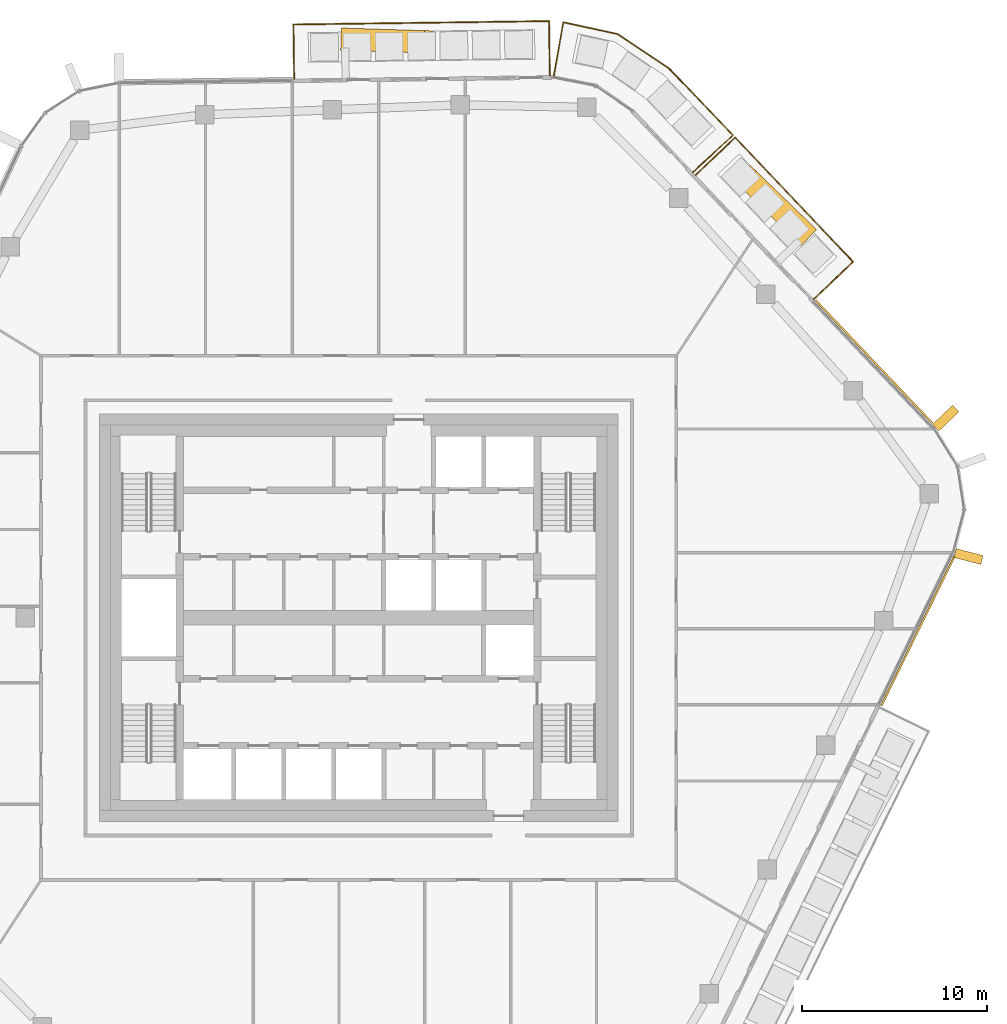
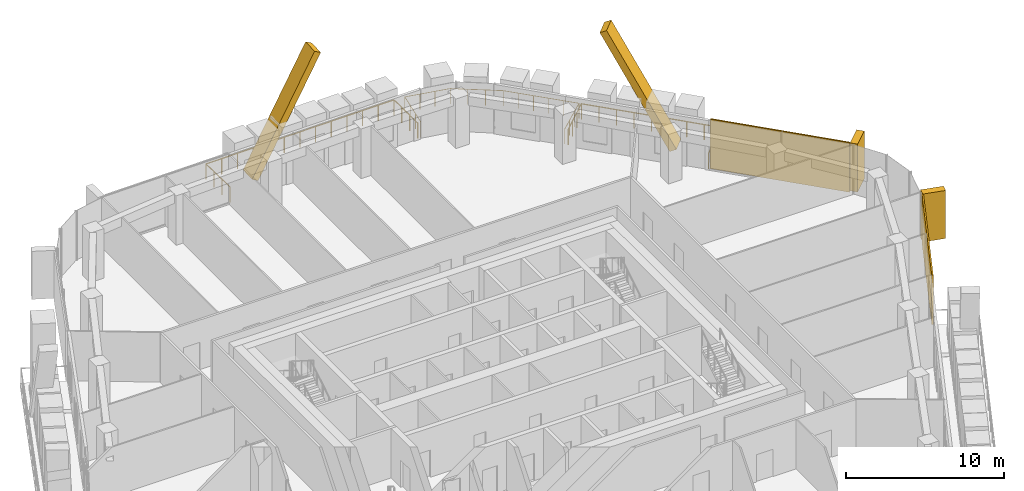
# One storey, part 23 of 23: 6 coverings, 3 railings, 4 elements without a shape of their own.
"""IFC4 building model written with IfcOpenShell, lengths in metres."""

import ifcopenshell
import ifcopenshell.guid

model = None  # the IFC model being written
_history = None  # IfcOwnerHistory: only IFC2X3 demands one
_inside = {}  # id of a spatial element -> (the spatial element, [elements in it])
_under = {}  # id of a project, library or spatial element -> (it, [spatial elements below it])
_declared = {}  # id of a project -> (the project, [libraries it declares])
_typed = {}  # id of a type object -> (the type object, [elements of that type])
_made_of = {}  # id of a material, layer set ... -> (it, [elements and type objects made of it])


def new_model(schema):
    """Start an empty IFC model of exactly this schema.

    Asked for "IFC4X3", IfcOpenShell would pick the latest addendum, in which some entities
    have other attributes; the version numbers below select the first issue.
    IFC2X3 requires an IfcOwnerHistory on every rooted entity: one is made here for all.
    """
    global model, _history
    if schema == "IFC4X3":
        model = ifcopenshell.file(schema_version=(4, 3, 0, 0))
    else:
        model = ifcopenshell.file(schema=schema)
    _inside.clear()
    _under.clear()
    _declared.clear()
    _typed.clear()
    _made_of.clear()
    _history = None
    if model.schema == "IFC2X3":
        org = make("IfcOrganization", Name="unknown")
        user = make(
            "IfcPersonAndOrganization",
            ThePerson=make("IfcPerson", FamilyName="unknown"),
            TheOrganization=org,
        )
        app = make(
            "IfcApplication",
            ApplicationDeveloper=org,
            Version="unknown",
            ApplicationFullName="unknown",
            ApplicationIdentifier="unknown",
        )
        _history = make(
            "IfcOwnerHistory",
            OwningUser=user,
            OwningApplication=app,
            ChangeAction="ADDED",
            CreationDate=0,
        )
    return model


def make(cls, **values):
    """One entity of the class cls with the attributes given. An attribute that is None is left unset."""
    return model.create_entity(
        cls, **{name: value for name, value in values.items() if value is not None}
    )


def rooted(cls, **values):
    """An entity with a GlobalId (a new one), such as an element, a storey or a relation."""
    return make(cls, GlobalId=ifcopenshell.guid.new(), OwnerHistory=_history, **values)


def si_unit(unit_type, name, prefix=None):
    """IfcSIUnit, for example si_unit("LENGTHUNIT", "METRE", prefix="MILLI")."""
    return make("IfcSIUnit", UnitType=unit_type, Prefix=prefix, Name=name)


def assignment(units):
    """IfcUnitAssignment: the units of a project."""
    return None if units is None else make("IfcUnitAssignment", Units=units)


def point(xyz):
    """IfcCartesianPoint."""
    return None if xyz is None else make("IfcCartesianPoint", Coordinates=xyz)


def direction(xyz):
    """IfcDirection."""
    return None if xyz is None else make("IfcDirection", DirectionRatios=xyz)


def frame(location, z_axis=None, x_axis=None):
    """IfcAxis2Placement3D, a coordinate frame: its origin and axes. An axis left out is left unset."""
    return make(
        "IfcAxis2Placement3D",
        Location=point(location),
        Axis=direction(z_axis),
        RefDirection=direction(x_axis),
    )


def frame_2d(location, x_axis=None):
    """IfcAxis2Placement2D, a coordinate frame in the plane: its origin and x axis."""
    return make(
        "IfcAxis2Placement2D", Location=point(location), RefDirection=direction(x_axis)
    )


def origin():
    """The frame at (0, 0, 0) with its axes left unset."""
    return frame((0.0, 0.0, 0.0))


def origin_2d():
    """The frame at (0, 0) in the plane with its x axis left unset."""
    return frame_2d((0.0, 0.0))


def place(relative_to, where):
    """IfcLocalPlacement: puts the frame where relative to a parent placement (None: the world)."""
    return make(
        "IfcLocalPlacement", PlacementRelTo=relative_to, RelativePlacement=where
    )


def context(
    kind, dimensions, precision=None, world=None, true_north=None, identifier=None
):
    """IfcGeometricRepresentationContext, for example the 3D "Model" context."""
    return make(
        "IfcGeometricRepresentationContext",
        ContextIdentifier=identifier,
        ContextType=kind,
        CoordinateSpaceDimension=dimensions,
        Precision=precision,
        WorldCoordinateSystem=world,
        TrueNorth=true_north,
    )


def subcontext(parent, identifier, kind, view, scale=None):
    """IfcGeometricRepresentationSubContext, for example "Body" below "Model"."""
    return make(
        "IfcGeometricRepresentationSubContext",
        ContextIdentifier=identifier,
        ContextType=kind,
        ParentContext=parent,
        TargetScale=scale,
        TargetView=view,
    )


def project(units=None, contexts=None):
    """IfcProject with its units and contexts."""
    return rooted(
        "IfcProject",
        Name="project",
        RepresentationContexts=contexts,
        UnitsInContext=assignment(units),
    )


def spatial(cls, under=None, at=None, **own):
    """A site, building, storey or space (cls), placed at a placement, below another one or the project."""
    s = rooted(cls, ObjectPlacement=at, **own)
    if under is not None:
        _under.setdefault(under.id(), (under, []))[1].append(s)
    return s


def profile(cls, at=None, kind="AREA", **sizes):
    """A parametric profile (cls). Its sizes go by their IFC names, for example OverallWidth=200.0."""
    return make(cls, ProfileType=kind, Position=at, **sizes)


def rectangle(**sizes):
    """IfcRectangleProfileDef."""
    return profile("IfcRectangleProfileDef", **sizes)


def circle(**sizes):
    """IfcCircleProfileDef."""
    return profile("IfcCircleProfileDef", **sizes)


def extrude(swept, where, along, depth):
    """IfcExtrudedAreaSolid: the profile swept, set in the frame where, extruded along a direction by depth."""
    return make(
        "IfcExtrudedAreaSolid",
        SweptArea=swept,
        Position=where,
        ExtrudedDirection=direction(along),
        Depth=depth,
    )


def shape(context_of_items, identifier, shape_type, items):
    """IfcShapeRepresentation: the items that make up one representation, for example the "Body"."""
    return make(
        "IfcShapeRepresentation",
        ContextOfItems=context_of_items,
        RepresentationIdentifier=identifier,
        RepresentationType=shape_type,
        Items=items,
    )


def material(Name=None, Category=None):
    """IfcMaterial."""
    return make("IfcMaterial", Name=Name, Category=Category)


def layer(
    of_material, thickness, ventilated=None, Name=None, Category=None, Priority=None
):
    """IfcMaterialLayer: one layer of a wall or slab, of a material (None: an air gap)."""
    return make(
        "IfcMaterialLayer",
        Material=of_material,
        LayerThickness=thickness,
        IsVentilated=ventilated,
        Name=Name,
        Category=Category,
        Priority=Priority,
    )


def layer_set(layers, Name=None):
    """IfcMaterialLayerSet."""
    return make("IfcMaterialLayerSet", MaterialLayers=layers, LayerSetName=Name)


def material_profile(
    of_material, cross_section, Name=None, Category=None, Priority=None
):
    """IfcMaterialProfile: a cross section and its material."""
    return make(
        "IfcMaterialProfile",
        Name=Name,
        Material=of_material,
        Profile=cross_section,
        Priority=Priority,
        Category=Category,
    )


def profile_set(profiles, Name=None, composite=None):
    """IfcMaterialProfileSet."""
    return make(
        "IfcMaterialProfileSet",
        Name=Name,
        MaterialProfiles=profiles,
        CompositeProfile=composite,
    )


def made_of(thing, what):
    """Note that an element or type object is made of a material, layer set ...; save() writes the relation."""
    if what is not None:
        _made_of.setdefault(what.id(), (what, []))[1].append(thing)
    return thing


def type_object(cls, material=None, **own):
    """A type object (cls), such as IfcWallType, which elements share."""
    return made_of(rooted(cls, **own), material)


def element(
    cls,
    number,
    at=None,
    inside=None,
    cuts=None,
    type_object=None,
    material=None,
    context=None,
    identifier="Body",
    shape_type=None,
    held_by="IfcProductDefinitionShape",
    body=None,
    shapes=None,
    **own,
):
    """One element of the class cls, such as IfcWall. Its Tag is "e" and its number.

    at: its placement. inside: the storey or other place that contains it. cuts: it is an
    opening in that element (IfcRelVoidsElement). A single representation is given by context,
    identifier, shape_type and body (its items); several are given by shapes. held_by: the class
    of the entity that holds the representations. save() writes the other relations.
    """
    e = rooted(cls, Tag="e%d" % number, ObjectPlacement=at, **own)
    if body is not None:
        shapes = [shape(context, identifier, shape_type, body)]
    if shapes is not None:
        e.Representation = make(held_by, Representations=shapes)
    if inside is not None:
        _inside.setdefault(inside.id(), (inside, []))[1].append(e)
    if cuts is not None:
        rooted(
            "IfcRelVoidsElement", RelatingBuildingElement=cuts, RelatedOpeningElement=e
        )
    if type_object is not None:
        _typed.setdefault(type_object.id(), (type_object, []))[1].append(e)
    return made_of(e, material)


def aggregate(whole, parts):
    """IfcRelAggregates: a whole, such as a stair, and the parts it consists of."""
    return rooted("IfcRelAggregates", RelatingObject=whole, RelatedObjects=parts)


def save(model, path):
    """Write the relations noted so far, then the file.

    IfcRelAggregates (storeys below a building ...), IfcRelContainedInSpatialStructure (elements
    in a storey), IfcRelDefinesByType, IfcRelAssociatesMaterial and IfcRelDeclares: one each for
    every whole, place, type object, material and project.
    """
    for whole, parts in _under.values():
        aggregate(whole, parts)
    for where, things in _inside.values():
        rooted(
            "IfcRelContainedInSpatialStructure",
            RelatedElements=things,
            RelatingStructure=where,
        )
    for kind, things in _typed.values():
        rooted("IfcRelDefinesByType", RelatedObjects=things, RelatingType=kind)
    for what, things in _made_of.values():
        rooted("IfcRelAssociatesMaterial", RelatedObjects=things, RelatingMaterial=what)
    for by, libraries in _declared.values():
        rooted("IfcRelDeclares", RelatingContext=by, RelatedDefinitions=libraries)
    model.write(path)


model = new_model("IFC4")

# Units and contexts
model_context = context("Model", 3, precision=1e-05, world=origin(), true_north=direction((0.0, 1.0)))
body_context = subcontext(model_context, "Body", "Model", "MODEL_VIEW")
ifc_project = project(units=[si_unit("LENGTHUNIT", "METRE"), si_unit("AREAUNIT", "SQUARE_METRE"), si_unit("VOLUMEUNIT", "CUBIC_METRE"), si_unit("PLANEANGLEUNIT", "RADIAN"), si_unit("MASSUNIT", "GRAM", prefix="KILO")], contexts=[model_context])

# Site, building, storey
site_placement = place(None, origin())
site = spatial("IfcSite", under=ifc_project, at=site_placement, CompositionType="ELEMENT")
building_placement = place(site_placement, origin())
building = spatial("IfcBuilding", under=site, at=building_placement, Name="Dongbaek Canopy Tower", CompositionType="ELEMENT")
storey_placement = place(building_placement, frame((0.0, 0.0, 340.39990234375)))
storey = spatial("IfcBuildingStorey", under=building, at=storey_placement, Name="L73", CompositionType="ELEMENT", Elevation=340.39990234375)

# Railings
ifc_material_1 = material(Name="Stainless steel", Category="steel")
railing_type = type_object("IfcRailingType", Name="Balcony balustrade 1200", PredefinedType="BALUSTRADE", material=ifc_material_1)
railing_1_placement = place(storey_placement, frame((24.560302734375, 17.197265625, 0.0)))
element("IfcRailing", 1, at=railing_1_placement, inside=storey, type_object=railing_type, Name="Balcony guard L73 1", PredefinedType="BALUSTRADE", context=body_context, shape_type="SweptSolid", body=[
    extrude(circle(Radius=0.02392578125, at=origin_2d()), frame((0.0, 0.0, 1.17578125), z_axis=(0.724937232647, 0.688814930676, 0.0), x_axis=(-0.688814930676, 0.724937232647, 0.0)), (0.0, 0.0, 1.0), 2.93994140625),
    extrude(circle(Radius=0.02392578125, at=origin_2d()), frame((2.13134765625, 2.025146484375, 1.17578125), z_axis=(-0.688813309185, 0.724938773338, 0.0), x_axis=(-0.724938773338, -0.688813309185, 0.0)), (0.0, 0.0, 1.0), 9.2451171875),
    extrude(circle(Radius=0.02392578125, at=origin_2d()), frame((-4.23681640625, 8.727294921875, 1.17578125), z_axis=(-0.724937232647, -0.688814930676, 0.0), x_axis=(0.688814930676, -0.724937232647, 0.0)), (0.0, 0.0, 1.0), 2.93994140625),
    extrude(circle(Radius=0.02099609375, at=origin_2d()), origin(), (0.0, 0.0, 1.0), 1.15185546875),
    extrude(circle(Radius=0.02099609375, at=origin_2d()), frame((0.71044921875, 0.675048828125, 0.0)), (0.0, 0.0, 1.0), 1.15185546875),
    extrude(circle(Radius=0.02099609375, at=origin_2d()), frame((1.4208984375, 1.35009765625, 0.0)), (0.0, 0.0, 1.0), 1.15185546875),
    extrude(circle(Radius=0.02099609375, at=origin_2d()), frame((2.13134765625, 2.025146484375, 0.0)), (0.0, 0.0, 1.0), 1.15185546875),
    extrude(circle(Radius=0.02099609375, at=origin_2d()), frame((1.33544921875, 2.86279296875, 0.0)), (0.0, 0.0, 1.0), 1.15185546875),
    extrude(circle(Radius=0.02099609375, at=origin_2d()), frame((0.539306640625, 3.70068359375, 0.0)), (0.0, 0.0, 1.0), 1.15185546875),
    extrude(circle(Radius=0.02099609375, at=origin_2d()), frame((-0.2568359375, 4.53857421875, 0.0)), (0.0, 0.0, 1.0), 1.15185546875),
    extrude(circle(Radius=0.02099609375, at=origin_2d()), frame((-1.052734375, 5.376220703125, 0.0)), (0.0, 0.0, 1.0), 1.15185546875),
    extrude(circle(Radius=0.02099609375, at=origin_2d()), frame((-1.8486328125, 6.2138671875, 0.0)), (0.0, 0.0, 1.0), 1.15185546875),
    extrude(circle(Radius=0.02099609375, at=origin_2d()), frame((-2.644775390625, 7.0517578125, 0.0)), (0.0, 0.0, 1.0), 1.15185546875),
    extrude(circle(Radius=0.02099609375, at=origin_2d()), frame((-3.44091796875, 7.8896484375, 0.0)), (0.0, 0.0, 1.0), 1.15185546875),
    extrude(circle(Radius=0.02099609375, at=origin_2d()), frame((-4.23681640625, 8.727294921875, 0.0)), (0.0, 0.0, 1.0), 1.15185546875),
    extrude(circle(Radius=0.02099609375, at=origin_2d()), frame((-4.947265625, 8.05224609375, 0.0)), (0.0, 0.0, 1.0), 1.15185546875),
    extrude(circle(Radius=0.02099609375, at=origin_2d()), frame((-5.65771484375, 7.377197265625, 0.0)), (0.0, 0.0, 1.0), 1.15185546875),
    extrude(circle(Radius=0.02099609375, at=origin_2d()), frame((-6.3681640625, 6.7021484375, 0.0)), (0.0, 0.0, 1.0), 1.15185546875),
])
railing_2_placement = place(storey_placement, frame((18.04052734375, 24.058837890625, 0.0)))
element("IfcRailing", 2, at=railing_2_placement, inside=storey, type_object=railing_type, Name="Balcony guard L73 6", PredefinedType="BALUSTRADE", context=body_context, shape_type="SweptSolid", body=[
    extrude(circle(Radius=0.02392578125, at=origin_2d()), frame((0.0, 0.0, 1.17578125), z_axis=(0.738861014798, 0.673857849114, 0.0), x_axis=(-0.673857849114, 0.738861014798, 0.0)), (0.0, 0.0, 1.0), 2.94091796875),
    extrude(circle(Radius=0.02392578125, at=origin_2d()), frame((2.1728515625, 1.981689453125, 1.17578125), z_axis=(-0.691085861423, 0.722772669753, 0.0), x_axis=(-0.722772669753, -0.691085861423, 0.0)), (0.0, 0.0, 1.0), 4.985107421875),
    extrude(circle(Radius=0.02392578125, at=origin_2d()), frame((-1.272216796875, 5.584716796875, 1.17578125), z_axis=(-0.830369112304, 0.557213726797, 0.0), x_axis=(-0.557213726797, -0.830369112304, 0.0)), (0.0, 0.0, 1.0), 3.35888671875),
    extrude(circle(Radius=0.02392578125, at=origin_2d()), frame((-4.061279296875, 7.456298828125, 1.17578125), z_axis=(-0.977272986086, 0.211984694415, 0.0), x_axis=(-0.211984694415, -0.977272986086, 0.0)), (0.0, 0.0, 1.0), 3.007080078125),
    extrude(circle(Radius=0.02392578125, at=origin_2d()), frame((-7.0, 8.09375, 1.17578125), z_axis=(-0.171610958794, -0.985164797799, 0.0), x_axis=(0.985164797799, -0.171610958794, 0.0)), (0.0, 0.0, 1.0), 2.940673828125),
    extrude(circle(Radius=0.02099609375, at=origin_2d()), origin(), (0.0, 0.0, 1.0), 1.15185546875),
    extrude(circle(Radius=0.02099609375, at=origin_2d()), frame((0.724365234375, 0.66064453125, 0.0)), (0.0, 0.0, 1.0), 1.15185546875),
    extrude(circle(Radius=0.02099609375, at=origin_2d()), frame((1.448486328125, 1.321044921875, 0.0)), (0.0, 0.0, 1.0), 1.15185546875),
    extrude(circle(Radius=0.02099609375, at=origin_2d()), frame((2.1728515625, 1.981689453125, 0.0)), (0.0, 0.0, 1.0), 1.15185546875),
    extrude(circle(Radius=0.02099609375, at=origin_2d()), frame((1.48388671875, 2.702392578125, 0.0)), (0.0, 0.0, 1.0), 1.15185546875),
    extrude(circle(Radius=0.02099609375, at=origin_2d()), frame((0.794921875, 3.4228515625, 0.0)), (0.0, 0.0, 1.0), 1.15185546875),
    extrude(circle(Radius=0.02099609375, at=origin_2d()), frame((0.105712890625, 4.1435546875, 0.0)), (0.0, 0.0, 1.0), 1.15185546875),
    extrude(circle(Radius=0.02099609375, at=origin_2d()), frame((-0.583251953125, 4.864013671875, 0.0)), (0.0, 0.0, 1.0), 1.15185546875),
    extrude(circle(Radius=0.02099609375, at=origin_2d()), frame((-1.272216796875, 5.584716796875, 0.0)), (0.0, 0.0, 1.0), 1.15185546875),
    extrude(circle(Radius=0.02099609375, at=origin_2d()), frame((-2.201904296875, 6.20849609375, 0.0)), (0.0, 0.0, 1.0), 1.15185546875),
    extrude(circle(Radius=0.02099609375, at=origin_2d()), frame((-3.131591796875, 6.83251953125, 0.0)), (0.0, 0.0, 1.0), 1.15185546875),
    extrude(circle(Radius=0.02099609375, at=origin_2d()), frame((-4.061279296875, 7.456298828125, 0.0)), (0.0, 0.0, 1.0), 1.15185546875),
    extrude(circle(Radius=0.02099609375, at=origin_2d()), frame((-5.040771484375, 7.668701171875, 0.0)), (0.0, 0.0, 1.0), 1.15185546875),
    extrude(circle(Radius=0.02099609375, at=origin_2d()), frame((-6.0205078125, 7.88134765625, 0.0)), (0.0, 0.0, 1.0), 1.15185546875),
    extrude(circle(Radius=0.02099609375, at=origin_2d()), frame((-7.0, 8.09375, 0.0)), (0.0, 0.0, 1.0), 1.15185546875),
    extrude(circle(Radius=0.02099609375, at=origin_2d()), frame((-7.168212890625, 7.128173828125, 0.0)), (0.0, 0.0, 1.0), 1.15185546875),
    extrude(circle(Radius=0.02099609375, at=origin_2d()), frame((-7.33642578125, 6.162353515625, 0.0)), (0.0, 0.0, 1.0), 1.15185546875),
    extrude(circle(Radius=0.02099609375, at=origin_2d()), frame((-7.504638671875, 5.19677734375, 0.0)), (0.0, 0.0, 1.0), 1.15185546875),
])
railing_3_placement = place(storey_placement, frame((10.31787109375, 29.275146484375, 0.0)))
element("IfcRailing", 3, at=railing_3_placement, inside=storey, type_object=railing_type, Name="Balcony guard L73 2", PredefinedType="BALUSTRADE", context=body_context, shape_type="SweptSolid", body=[
    extrude(circle(Radius=0.02392578125, at=origin_2d()), frame((0.0, 0.0, 1.17578125), z_axis=(-0.013120704205, 0.999913919856, 0.0), x_axis=(-0.999913919856, -0.013120704205, 0.0)), (0.0, 0.0, 1.0), 2.93994140625),
    extrude(circle(Radius=0.02392578125, at=origin_2d()), frame((-0.03857421875, 2.939697265625, 1.17578125), z_axis=(-0.999913421648, -0.013158617265, 0.0), x_axis=(0.013158617265, -0.999913421648, 0.0)), (0.0, 0.0, 1.0), 13.803955078125),
    extrude(circle(Radius=0.02392578125, at=origin_2d()), frame((-13.84130859375, 2.758056640625, 1.17578125), z_axis=(0.013203732205, -0.999912826928, 0.0), x_axis=(0.999912826928, 0.013203732205, 0.0)), (0.0, 0.0, 1.0), 2.93994140625),
    extrude(circle(Radius=0.02099609375, at=origin_2d()), origin(), (0.0, 0.0, 1.0), 1.15185546875),
    extrude(circle(Radius=0.02099609375, at=origin_2d()), frame((-0.012939453125, 0.97998046875, 0.0)), (0.0, 0.0, 1.0), 1.15185546875),
    extrude(circle(Radius=0.02099609375, at=origin_2d()), frame((-0.025634765625, 1.959716796875, 0.0)), (0.0, 0.0, 1.0), 1.15185546875),
    extrude(circle(Radius=0.02099609375, at=origin_2d()), frame((-0.03857421875, 2.939697265625, 0.0)), (0.0, 0.0, 1.0), 1.15185546875),
    extrude(circle(Radius=0.02099609375, at=origin_2d()), frame((-1.188720703125, 2.924560546875, 0.0)), (0.0, 0.0, 1.0), 1.15185546875),
    extrude(circle(Radius=0.02099609375, at=origin_2d()), frame((-2.339111328125, 2.909423828125, 0.0)), (0.0, 0.0, 1.0), 1.15185546875),
    extrude(circle(Radius=0.02099609375, at=origin_2d()), frame((-3.4892578125, 2.894287109375, 0.0)), (0.0, 0.0, 1.0), 1.15185546875),
    extrude(circle(Radius=0.02099609375, at=origin_2d()), frame((-4.639404296875, 2.879150390625, 0.0)), (0.0, 0.0, 1.0), 1.15185546875),
    extrude(circle(Radius=0.02099609375, at=origin_2d()), frame((-5.789794921875, 2.864013671875, 0.0)), (0.0, 0.0, 1.0), 1.15185546875),
    extrude(circle(Radius=0.02099609375, at=origin_2d()), frame((-6.93994140625, 2.848876953125, 0.0)), (0.0, 0.0, 1.0), 1.15185546875),
    extrude(circle(Radius=0.02099609375, at=origin_2d()), frame((-8.090087890625, 2.833740234375, 0.0)), (0.0, 0.0, 1.0), 1.15185546875),
    extrude(circle(Radius=0.02099609375, at=origin_2d()), frame((-9.240478515625, 2.818603515625, 0.0)), (0.0, 0.0, 1.0), 1.15185546875),
    extrude(circle(Radius=0.02099609375, at=origin_2d()), frame((-10.390625, 2.803466796875, 0.0)), (0.0, 0.0, 1.0), 1.15185546875),
    extrude(circle(Radius=0.02099609375, at=origin_2d()), frame((-11.540771484375, 2.788330078125, 0.0)), (0.0, 0.0, 1.0), 1.15185546875),
    extrude(circle(Radius=0.02099609375, at=origin_2d()), frame((-12.691162109375, 2.773193359375, 0.0)), (0.0, 0.0, 1.0), 1.15185546875),
    extrude(circle(Radius=0.02099609375, at=origin_2d()), frame((-13.84130859375, 2.758056640625, 0.0)), (0.0, 0.0, 1.0), 1.15185546875),
    extrude(circle(Radius=0.02099609375, at=origin_2d()), frame((-13.828369140625, 1.778076171875, 0.0)), (0.0, 0.0, 1.0), 1.15185546875),
    extrude(circle(Radius=0.02099609375, at=origin_2d()), frame((-13.8154296875, 0.79833984375, 0.0)), (0.0, 0.0, 1.0), 1.15185546875),
    extrude(circle(Radius=0.02099609375, at=origin_2d()), frame((-13.802490234375, -0.181640625, 0.0)), (0.0, 0.0, 1.0), 1.15185546875),
])

# Curtain wall, covering
ifc_material_2 = material(Name="Aluminium 6063-T6 pale anodised", Category="aluminium")
ifc_layer_1 = layer(ifc_material_2, 0.199951171875)
ifc_layer_set_1 = layer_set([ifc_layer_1], Name="CW-1 unitised tower curtain wall")
curtain_wall_type = type_object("IfcCurtainWallType", Name="CW-1 unitised tower curtain wall", PredefinedType="NOTDEFINED", material=ifc_layer_set_1)
curtain_wall_1_placement = place(storey_placement, origin())
curtain_wall_1 = element("IfcCurtainWall", 4, at=curtain_wall_1_placement, inside=storey, type_object=curtain_wall_type, Name="CW-1 curtain wall F0.1", PredefinedType="NOTDEFINED")
ifc_material_3 = material(Name="Aluminium 6063-T6 pale metal fin", Category="aluminium")
ifc_material_profile_1 = material_profile(ifc_material_3, rectangle(XDim=1.199951171875, YDim=0.5, at=origin_2d()), Name="Crease fin CF1 500 x 1200 pale metal")
ifc_profile_set_1 = profile_set([ifc_material_profile_1], Name="Aluminium 6063-T6 pale metal fin")
covering_type_1 = type_object("IfcCoveringType", Name="Crease fin CF1 500 x 1200 pale metal", PredefinedType="CLADDING", material=ifc_profile_set_1)
covering_1_placement = place(storey_placement, frame((24.146728515625, 20.6806640625, -0.18994140625), z_axis=(-0.342010946555, 0.331122622571, 0.879423857567), x_axis=(-0.695577928103, -0.718450656577, 0.0)))
covering_1 = element("IfcCovering", 5, at=covering_1_placement, type_object=covering_type_1, Name="Crease fin L73 L75 F0", PredefinedType="CLADDING", context=body_context, shape_type="SweptSolid", body=[
    extrude(rectangle(XDim=1.199951171875, YDim=0.5, at=origin_2d()), origin(), (0.0, 0.0, 1.0), 9.5517578125),
])

curtain_wall_2_placement = place(storey_placement, origin())
curtain_wall_2 = element("IfcCurtainWall", 6, at=curtain_wall_2_placement, inside=storey, type_object=curtain_wall_type, Name="CW-1 curtain wall F1.1", PredefinedType="NOTDEFINED")
covering_2_placement = place(storey_placement, frame((-0.73291015625, 31.234130859375, -0.18994140625), z_axis=(0.470411058025, -0.014488783678, 0.882328460175), x_axis=(0.030785662624, 0.999526009155, 0.0)))
covering_2 = element("IfcCovering", 7, at=covering_2_placement, type_object=covering_type_1, Name="Crease fin L73 L75 F1", PredefinedType="CLADDING", context=body_context, shape_type="SweptSolid", body=[
    extrude(rectangle(XDim=1.199951171875, YDim=0.5, at=origin_2d()), origin(), (0.0, 0.0, 1.0), 9.5205078125),
])
aggregate(curtain_wall_2, [covering_2])

curtain_wall_3_placement = place(storey_placement, origin())
curtain_wall_3 = element("IfcCurtainWall", 8, at=curtain_wall_3_placement, inside=storey, type_object=curtain_wall_type, Name="CW-1 curtain wall F5.1", PredefinedType="NOTDEFINED")
ifc_material_4 = material(Name="Perforated aluminium 6063-T6 pale metal screen", Category="aluminium")
ifc_layer_2 = layer(ifc_material_4, 0.10009765625)
ifc_layer_set_2 = layer_set([ifc_layer_2], Name="Facet screen FS1 100 pale metal")
covering_type_2 = type_object("IfcCoveringType", Name="Facet screen FS1 100 pale metal", PredefinedType="CLADDING", material=ifc_layer_set_2)
covering_3_placement = place(storey_placement, frame((30.197265625, -0.704833984375, 0.0), z_axis=(0.0, 0.0, 1.0), x_axis=(0.439337207238, 0.898322224114, 0.0)))
covering_3 = element("IfcCovering", 9, at=covering_3_placement, type_object=covering_type_2, Name="Facet screen L73 F5", PredefinedType="CLADDING", context=body_context, shape_type="SweptSolid", body=[
    extrude(rectangle(XDim=9.029296875, YDim=0.10009765625, at=origin_2d()), origin(), (0.0, 0.0, 1.0), 3.820068359375),
])
aggregate(curtain_wall_3, [covering_3])

# Covering
covering_4_placement = place(storey_placement, frame((27.825927734375, 13.8271484375, 0.0), z_axis=(0.0, 0.0, 1.0), x_axis=(-0.688812736467, 0.724939317516, 0.0)))
covering_4 = element("IfcCovering", 10, at=covering_4_placement, type_object=covering_type_2, Name="Facet screen L73 F0", PredefinedType="CLADDING", context=body_context, shape_type="SweptSolid", body=[
    extrude(rectangle(XDim=9.1650390625, YDim=0.10009765625, at=origin_2d()), origin(), (0.0, 0.0, 1.0), 3.820068359375),
])

# Curtain wall, covering
curtain_wall_4_placement = place(storey_placement, origin())
curtain_wall_4 = element("IfcCurtainWall", 11, at=curtain_wall_4_placement, inside=storey, type_object=curtain_wall_type, Name="CW-1 curtain wall K0.1", PredefinedType="NOTDEFINED")
ifc_material_5 = material(Name="Aluminium 6063-T6 pale metal fin", Category="aluminium")
ifc_material_profile_2 = material_profile(ifc_material_5, rectangle(XDim=1.5, YDim=0.5, at=origin_2d()), Name="Fin FN1 500 x 1500 pale metal")
ifc_profile_set_2 = profile_set([ifc_material_profile_2], Name="Aluminium 6063-T6 pale metal fin")
covering_type_3 = type_object("IfcCoveringType", Name="Fin FN1 500 x 1500 pale metal", PredefinedType="CLADDING", material=ifc_profile_set_2)
covering_5_placement = place(storey_placement, frame((32.9248046875, 3.3095703125, 0.1201171875), z_axis=(0.0, 0.0, 1.0), x_axis=(0.96831359198, -0.249737437294, 0.0)))
covering_5 = element("IfcCovering", 12, at=covering_5_placement, type_object=covering_type_3, Name="Fin K0.1.1", PredefinedType="CLADDING", context=body_context, shape_type="SweptSolid", body=[
    extrude(rectangle(XDim=1.5, YDim=0.5, at=origin_2d()), origin(), (0.0, 0.0, 1.0), 3.699951171875),
])
aggregate(curtain_wall_4, [covering_5])

# Covering
covering_6_placement = place(storey_placement, frame((31.6923828125, 10.77978515625, 0.1201171875), z_axis=(0.0, 0.0, 1.0), x_axis=(0.724939653857, 0.688812382486, 0.0)))
covering_6 = element("IfcCovering", 13, at=covering_6_placement, type_object=covering_type_3, Name="Fin F0.1.1", PredefinedType="CLADDING", context=body_context, shape_type="SweptSolid", body=[
    extrude(rectangle(XDim=1.5, YDim=0.5, at=origin_2d()), origin(), (0.0, 0.0, 1.0), 3.699951171875),
])

aggregate(curtain_wall_1, [covering_6, covering_1, covering_4])

save(model, "model.ifc")
